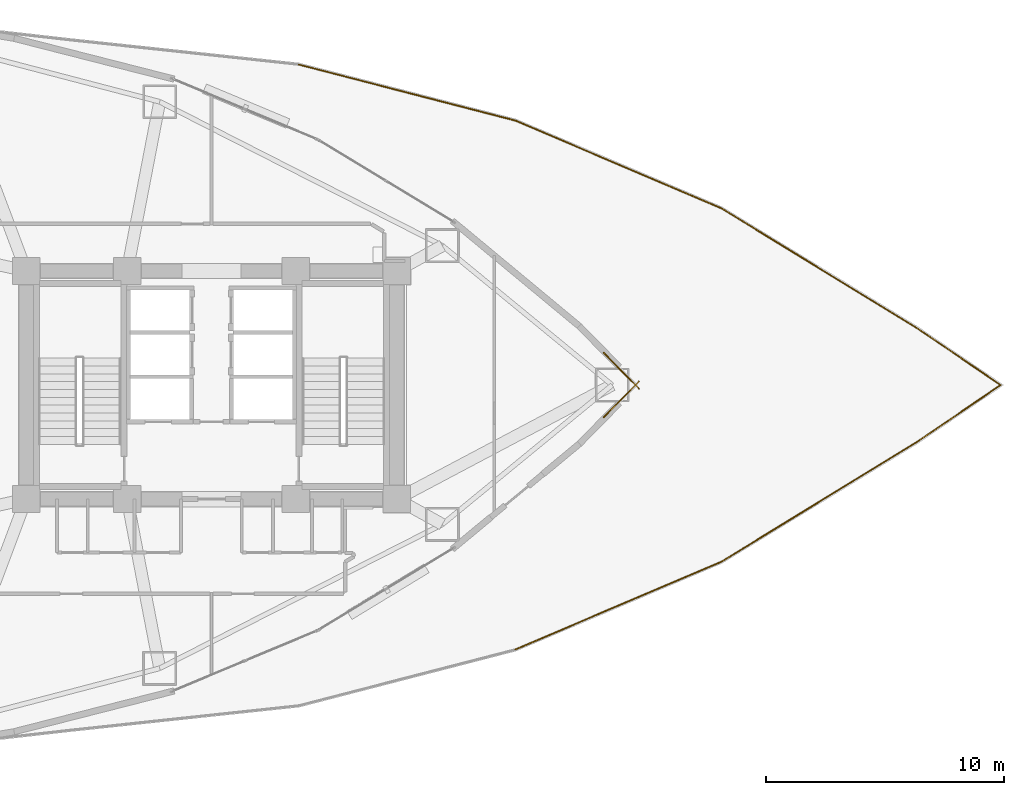
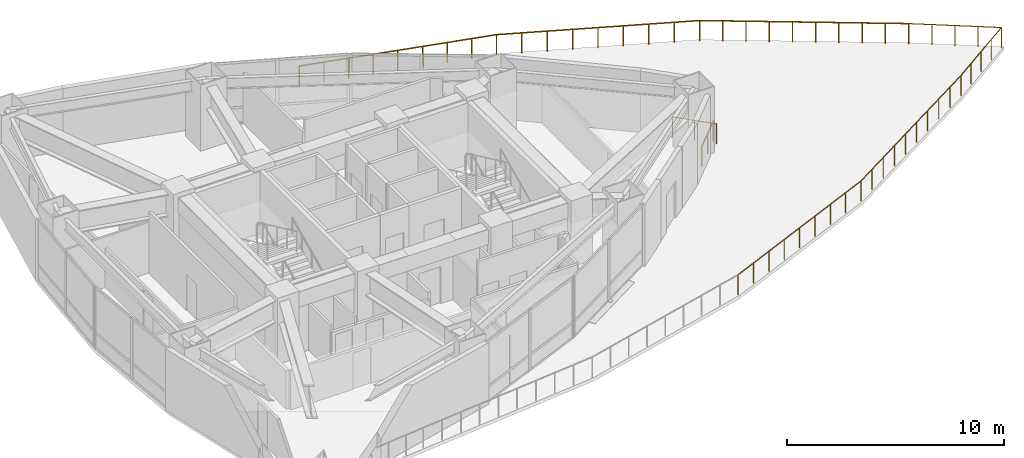
# One storey, part 19 of 19: 9 railings.
"""IFC4 building model written with IfcOpenShell, lengths in metres."""

from ifc_helpers import new_model, si_unit, direction, frame, origin, origin_2d, place, context, subcontext, project, spatial, circle, extrude, material, type_object, element, save


model = new_model("IFC4")

# Units and contexts
model_context = context("Model", 3, precision=1e-05, world=origin(), true_north=direction((0.0, 1.0)))
body_context = subcontext(model_context, "Body", "Model", "MODEL_VIEW")
ifc_project = project(units=[si_unit("LENGTHUNIT", "METRE"), si_unit("AREAUNIT", "SQUARE_METRE"), si_unit("VOLUMEUNIT", "CUBIC_METRE"), si_unit("PLANEANGLEUNIT", "RADIAN"), si_unit("MASSUNIT", "GRAM", prefix="KILO")], contexts=[model_context])

# Site, building, storey
site_placement = place(None, origin())
site = spatial("IfcSite", under=ifc_project, at=site_placement, CompositionType="ELEMENT")
building_placement = place(site_placement, origin())
building = spatial("IfcBuilding", under=site, at=building_placement, Name="Menara Vayukalpa", CompositionType="ELEMENT")
storey_placement = place(building_placement, frame((0.0, 0.0, 68.52001953125)))
storey = spatial("IfcBuildingStorey", under=building, at=storey_placement, Name="L16", CompositionType="ELEMENT", Elevation=68.52001953125)

# Railings
ifc_material = material(Name="Laminated Glass and Stainless Steel 316 Guardrail", Category="steel")
railing_type = type_object("IfcRailingType", Name="RLG-EXT115", PredefinedType="GUARDRAIL", material=ifc_material)
railing_1_placement = place(storey_placement, frame((29.273681640625, 35.489013671875, 0.0)))
element("IfcRailing", 1, at=railing_1_placement, inside=storey, type_object=railing_type, Name="L16 Sky Terrace Perimeter Guardrail 03", PredefinedType="GUARDRAIL", context=body_context, shape_type="SweptSolid", body=[
    extrude(circle(Radius=0.02392578125, at=origin_2d()), frame((0.0, 0.0, 1.1259765625), z_axis=(0.968144095454, -0.250393710859, 0.0), x_axis=(0.250393710859, 0.968144095454, 0.0)), (0.0, 0.0, 1.0), 9.420654296875),
    extrude(circle(Radius=0.02099609375, at=origin_2d()), origin(), (0.0, 0.0, 1.0), 1.101806640625),
    extrude(circle(Radius=0.02099609375, at=origin_2d()), frame((1.14013671875, -0.294921875, 0.0)), (0.0, 0.0, 1.0), 1.101806640625),
    extrude(circle(Radius=0.02099609375, at=origin_2d()), frame((2.2802734375, -0.58984375, 0.0)), (0.0, 0.0, 1.0), 1.101806640625),
    extrude(circle(Radius=0.02099609375, at=origin_2d()), frame((3.420166015625, -0.884521484375, 0.0)), (0.0, 0.0, 1.0), 1.101806640625),
    extrude(circle(Radius=0.02099609375, at=origin_2d()), frame((4.560302734375, -1.179443359375, 0.0)), (0.0, 0.0, 1.0), 1.101806640625),
    extrude(circle(Radius=0.02099609375, at=origin_2d()), frame((5.700439453125, -1.474365234375, 0.0)), (0.0, 0.0, 1.0), 1.101806640625),
    extrude(circle(Radius=0.02099609375, at=origin_2d()), frame((6.84033203125, -1.76904296875, 0.0)), (0.0, 0.0, 1.0), 1.101806640625),
    extrude(circle(Radius=0.02099609375, at=origin_2d()), frame((7.98046875, -2.06396484375, 0.0)), (0.0, 0.0, 1.0), 1.101806640625),
    extrude(circle(Radius=0.02099609375, at=origin_2d()), frame((9.12060546875, -2.35888671875, 0.0)), (0.0, 0.0, 1.0), 1.101806640625),
])
railing_2_placement = place(storey_placement, frame((38.394287109375, 33.130126953125, 0.0)))
element("IfcRailing", 2, at=railing_2_placement, inside=storey, type_object=railing_type, Name="L16 Sky Terrace Perimeter Guardrail 04", PredefinedType="GUARDRAIL", context=body_context, shape_type="SweptSolid", body=[
    extrude(circle(Radius=0.02392578125, at=origin_2d()), frame((0.0, 0.0, 1.1259765625), z_axis=(0.919954063538, -0.392026173845, 0.0), x_axis=(0.392026173845, 0.919954063538, 0.0)), (0.0, 0.0, 1.0), 9.420654296875),
    extrude(circle(Radius=0.02099609375, at=origin_2d()), origin(), (0.0, 0.0, 1.0), 1.101806640625),
    extrude(circle(Radius=0.02099609375, at=origin_2d()), frame((1.083251953125, -0.461669921875, 0.0)), (0.0, 0.0, 1.0), 1.101806640625),
    extrude(circle(Radius=0.02099609375, at=origin_2d()), frame((2.16650390625, -0.92333984375, 0.0)), (0.0, 0.0, 1.0), 1.101806640625),
    extrude(circle(Radius=0.02099609375, at=origin_2d()), frame((3.25, -1.385009765625, 0.0)), (0.0, 0.0, 1.0), 1.101806640625),
    extrude(circle(Radius=0.02099609375, at=origin_2d()), frame((4.333251953125, -1.8466796875, 0.0)), (0.0, 0.0, 1.0), 1.101806640625),
    extrude(circle(Radius=0.02099609375, at=origin_2d()), frame((5.41650390625, -2.30810546875, 0.0)), (0.0, 0.0, 1.0), 1.101806640625),
    extrude(circle(Radius=0.02099609375, at=origin_2d()), frame((6.5, -2.769775390625, 0.0)), (0.0, 0.0, 1.0), 1.101806640625),
    extrude(circle(Radius=0.02099609375, at=origin_2d()), frame((7.583251953125, -3.2314453125, 0.0)), (0.0, 0.0, 1.0), 1.101806640625),
    extrude(circle(Radius=0.02099609375, at=origin_2d()), frame((8.66650390625, -3.693115234375, 0.0)), (0.0, 0.0, 1.0), 1.101806640625),
])
railing_3_placement = place(storey_placement, frame((47.060791015625, 29.43701171875, 0.0)))
element("IfcRailing", 3, at=railing_3_placement, inside=storey, type_object=railing_type, Name="L16 Sky Terrace Perimeter Guardrail 05", PredefinedType="GUARDRAIL", context=body_context, shape_type="SweptSolid", body=[
    extrude(circle(Radius=0.02392578125, at=origin_2d()), frame((0.0, 0.0, 1.1259765625), z_axis=(0.85290197122, -0.522071094287, 0.0), x_axis=(0.522071094287, 0.85290197122, 0.0)), (0.0, 0.0, 1.0), 9.63330078125),
    extrude(circle(Radius=0.02099609375, at=origin_2d()), origin(), (0.0, 0.0, 1.0), 1.101806640625),
    extrude(circle(Radius=0.02099609375, at=origin_2d()), frame((0.912841796875, -0.558837890625, 0.0)), (0.0, 0.0, 1.0), 1.101806640625),
    extrude(circle(Radius=0.02099609375, at=origin_2d()), frame((1.825927734375, -1.11767578125, 0.0)), (0.0, 0.0, 1.0), 1.101806640625),
    extrude(circle(Radius=0.02099609375, at=origin_2d()), frame((2.73876953125, -1.676513671875, 0.0)), (0.0, 0.0, 1.0), 1.101806640625),
    extrude(circle(Radius=0.02099609375, at=origin_2d()), frame((3.651611328125, -2.2353515625, 0.0)), (0.0, 0.0, 1.0), 1.101806640625),
    extrude(circle(Radius=0.02099609375, at=origin_2d()), frame((4.564697265625, -2.7939453125, 0.0)), (0.0, 0.0, 1.0), 1.101806640625),
    extrude(circle(Radius=0.02099609375, at=origin_2d()), frame((5.4775390625, -3.352783203125, 0.0)), (0.0, 0.0, 1.0), 1.101806640625),
    extrude(circle(Radius=0.02099609375, at=origin_2d()), frame((6.390380859375, -3.91162109375, 0.0)), (0.0, 0.0, 1.0), 1.101806640625),
    extrude(circle(Radius=0.02099609375, at=origin_2d()), frame((7.303466796875, -4.470458984375, 0.0)), (0.0, 0.0, 1.0), 1.101806640625),
    extrude(circle(Radius=0.02099609375, at=origin_2d()), frame((8.21630859375, -5.029296875, 0.0)), (0.0, 0.0, 1.0), 1.101806640625),
])
railing_4_placement = place(storey_placement, frame((55.277099609375, 24.40771484375, 0.0)))
element("IfcRailing", 4, at=railing_4_placement, inside=storey, type_object=railing_type, Name="L16 Sky Terrace Perimeter Guardrail 06", PredefinedType="GUARDRAIL", context=body_context, shape_type="SweptSolid", body=[
    extrude(circle(Radius=0.02392578125, at=origin_2d()), frame((0.0, 0.0, 1.1259765625), z_axis=(0.826747150302, -0.56257368359, 0.0), x_axis=(0.56257368359, 0.826747150302, 0.0)), (0.0, 0.0, 1.0), 4.27978515625),
    extrude(circle(Radius=0.02099609375, at=origin_2d()), origin(), (0.0, 0.0, 1.0), 1.101806640625),
    extrude(circle(Radius=0.02099609375, at=origin_2d()), frame((0.884521484375, -0.60205078125, 0.0)), (0.0, 0.0, 1.0), 1.101806640625),
    extrude(circle(Radius=0.02099609375, at=origin_2d()), frame((1.76904296875, -1.203857421875, 0.0)), (0.0, 0.0, 1.0), 1.101806640625),
    extrude(circle(Radius=0.02099609375, at=origin_2d()), frame((2.65380859375, -1.8056640625, 0.0)), (0.0, 0.0, 1.0), 1.101806640625),
    extrude(circle(Radius=0.02099609375, at=origin_2d()), frame((3.538330078125, -2.40771484375, 0.0)), (0.0, 0.0, 1.0), 1.101806640625),
])
railing_5_placement = place(storey_placement, frame((58.8154296875, 22.0, 0.0)))
element("IfcRailing", 5, at=railing_5_placement, inside=storey, type_object=railing_type, Name="L16 Sky Terrace Perimeter Guardrail 07", PredefinedType="GUARDRAIL", context=body_context, shape_type="SweptSolid", body=[
    extrude(circle(Radius=0.02392578125, at=origin_2d()), frame((0.0, 0.0, 1.1259765625), z_axis=(-0.826747150302, -0.56257368359, 0.0), x_axis=(0.56257368359, -0.826747150302, 0.0)), (0.0, 0.0, 1.0), 4.27978515625),
    extrude(circle(Radius=0.02099609375, at=origin_2d()), origin(), (0.0, 0.0, 1.0), 1.101806640625),
    extrude(circle(Radius=0.02099609375, at=origin_2d()), frame((-0.884521484375, -0.60205078125, 0.0)), (0.0, 0.0, 1.0), 1.101806640625),
    extrude(circle(Radius=0.02099609375, at=origin_2d()), frame((-1.76904296875, -1.203857421875, 0.0)), (0.0, 0.0, 1.0), 1.101806640625),
    extrude(circle(Radius=0.02099609375, at=origin_2d()), frame((-2.65380859375, -1.8056640625, 0.0)), (0.0, 0.0, 1.0), 1.101806640625),
    extrude(circle(Radius=0.02099609375, at=origin_2d()), frame((-3.538330078125, -2.40771484375, 0.0)), (0.0, 0.0, 1.0), 1.101806640625),
])
railing_6_placement = place(storey_placement, frame((55.277099609375, 19.59228515625, 0.0)))
element("IfcRailing", 6, at=railing_6_placement, inside=storey, type_object=railing_type, Name="L16 Sky Terrace Perimeter Guardrail 08", PredefinedType="GUARDRAIL", context=body_context, shape_type="SweptSolid", body=[
    extrude(circle(Radius=0.02392578125, at=origin_2d()), frame((0.0, 0.0, 1.1259765625), z_axis=(-0.85290197122, -0.522071094287, 0.0), x_axis=(0.522071094287, -0.85290197122, 0.0)), (0.0, 0.0, 1.0), 9.63330078125),
    extrude(circle(Radius=0.02099609375, at=origin_2d()), origin(), (0.0, 0.0, 1.0), 1.101806640625),
    extrude(circle(Radius=0.02099609375, at=origin_2d()), frame((-0.912841796875, -0.558837890625, 0.0)), (0.0, 0.0, 1.0), 1.101806640625),
    extrude(circle(Radius=0.02099609375, at=origin_2d()), frame((-1.825927734375, -1.11767578125, 0.0)), (0.0, 0.0, 1.0), 1.101806640625),
    extrude(circle(Radius=0.02099609375, at=origin_2d()), frame((-2.73876953125, -1.676513671875, 0.0)), (0.0, 0.0, 1.0), 1.101806640625),
    extrude(circle(Radius=0.02099609375, at=origin_2d()), frame((-3.651611328125, -2.2353515625, 0.0)), (0.0, 0.0, 1.0), 1.101806640625),
    extrude(circle(Radius=0.02099609375, at=origin_2d()), frame((-4.564697265625, -2.7939453125, 0.0)), (0.0, 0.0, 1.0), 1.101806640625),
    extrude(circle(Radius=0.02099609375, at=origin_2d()), frame((-5.4775390625, -3.352783203125, 0.0)), (0.0, 0.0, 1.0), 1.101806640625),
    extrude(circle(Radius=0.02099609375, at=origin_2d()), frame((-6.390380859375, -3.91162109375, 0.0)), (0.0, 0.0, 1.0), 1.101806640625),
    extrude(circle(Radius=0.02099609375, at=origin_2d()), frame((-7.303466796875, -4.470458984375, 0.0)), (0.0, 0.0, 1.0), 1.101806640625),
    extrude(circle(Radius=0.02099609375, at=origin_2d()), frame((-8.21630859375, -5.029296875, 0.0)), (0.0, 0.0, 1.0), 1.101806640625),
])
railing_7_placement = place(storey_placement, frame((47.060791015625, 14.56298828125, 0.0)))
element("IfcRailing", 7, at=railing_7_placement, inside=storey, type_object=railing_type, Name="L16 Sky Terrace Perimeter Guardrail 09", PredefinedType="GUARDRAIL", context=body_context, shape_type="SweptSolid", body=[
    extrude(circle(Radius=0.02392578125, at=origin_2d()), frame((0.0, 0.0, 1.1259765625), z_axis=(-0.919954063538, -0.392026173845, 0.0), x_axis=(0.392026173845, -0.919954063538, 0.0)), (0.0, 0.0, 1.0), 9.420654296875),
    extrude(circle(Radius=0.02099609375, at=origin_2d()), origin(), (0.0, 0.0, 1.0), 1.101806640625),
    extrude(circle(Radius=0.02099609375, at=origin_2d()), frame((-1.083251953125, -0.461669921875, 0.0)), (0.0, 0.0, 1.0), 1.101806640625),
    extrude(circle(Radius=0.02099609375, at=origin_2d()), frame((-2.16650390625, -0.92333984375, 0.0)), (0.0, 0.0, 1.0), 1.101806640625),
    extrude(circle(Radius=0.02099609375, at=origin_2d()), frame((-3.25, -1.385009765625, 0.0)), (0.0, 0.0, 1.0), 1.101806640625),
    extrude(circle(Radius=0.02099609375, at=origin_2d()), frame((-4.333251953125, -1.8466796875, 0.0)), (0.0, 0.0, 1.0), 1.101806640625),
    extrude(circle(Radius=0.02099609375, at=origin_2d()), frame((-5.41650390625, -2.30810546875, 0.0)), (0.0, 0.0, 1.0), 1.101806640625),
    extrude(circle(Radius=0.02099609375, at=origin_2d()), frame((-6.5, -2.769775390625, 0.0)), (0.0, 0.0, 1.0), 1.101806640625),
    extrude(circle(Radius=0.02099609375, at=origin_2d()), frame((-7.583251953125, -3.2314453125, 0.0)), (0.0, 0.0, 1.0), 1.101806640625),
    extrude(circle(Radius=0.02099609375, at=origin_2d()), frame((-8.66650390625, -3.693115234375, 0.0)), (0.0, 0.0, 1.0), 1.101806640625),
])
railing_8_placement = place(storey_placement, frame((42.10888671875, 20.6396484375, 0.0)))
element("IfcRailing", 8, at=railing_8_placement, inside=storey, type_object=railing_type, Name="L16 Column Corner Spandrel Guardrail 01-1", PredefinedType="GUARDRAIL", context=body_context, shape_type="SweptSolid", body=[
    extrude(circle(Radius=0.02392578125, at=origin_2d()), frame((0.0, 0.0, 1.1259765625), z_axis=(0.700673401428, 0.713482154319, 0.0), x_axis=(-0.713482154319, 0.700673401428, 0.0)), (0.0, 0.0, 1.0), 2.11572265625),
    extrude(circle(Radius=0.02099609375, at=origin_2d()), origin(), (0.0, 0.0, 1.0), 1.101806640625),
    extrude(circle(Radius=0.02099609375, at=origin_2d()), frame((0.7412109375, 0.7548828125, 0.0)), (0.0, 0.0, 1.0), 1.101806640625),
    extrude(circle(Radius=0.02099609375, at=origin_2d()), frame((1.482421875, 1.509521484375, 0.0)), (0.0, 0.0, 1.0), 1.101806640625),
])
railing_9_placement = place(storey_placement, frame((43.59130859375, 21.850830078125, 0.0)))
element("IfcRailing", 9, at=railing_9_placement, inside=storey, type_object=railing_type, Name="L16 Column Corner Spandrel Guardrail 02-1", PredefinedType="GUARDRAIL", context=body_context, shape_type="SweptSolid", body=[
    extrude(circle(Radius=0.02392578125, at=origin_2d()), frame((0.0, 0.0, 1.1259765625), z_axis=(-0.700673401428, 0.713482154319, 0.0), x_axis=(-0.713482154319, -0.700673401428, 0.0)), (0.0, 0.0, 1.0), 2.11572265625),
    extrude(circle(Radius=0.02099609375, at=origin_2d()), origin(), (0.0, 0.0, 1.0), 1.101806640625),
    extrude(circle(Radius=0.02099609375, at=origin_2d()), frame((-0.7412109375, 0.7548828125, 0.0)), (0.0, 0.0, 1.0), 1.101806640625),
    extrude(circle(Radius=0.02099609375, at=origin_2d()), frame((-1.482421875, 1.509521484375, 0.0)), (0.0, 0.0, 1.0), 1.101806640625),
])

save(model, "model.ifc")
